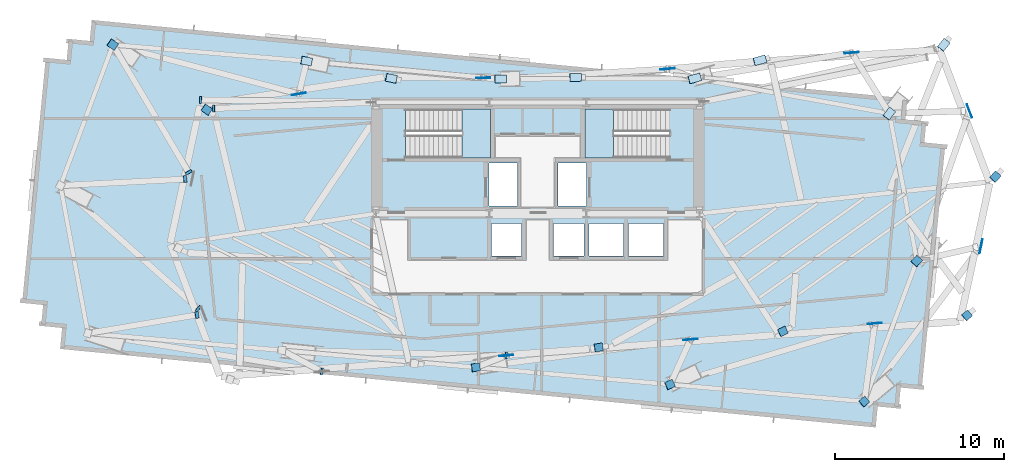
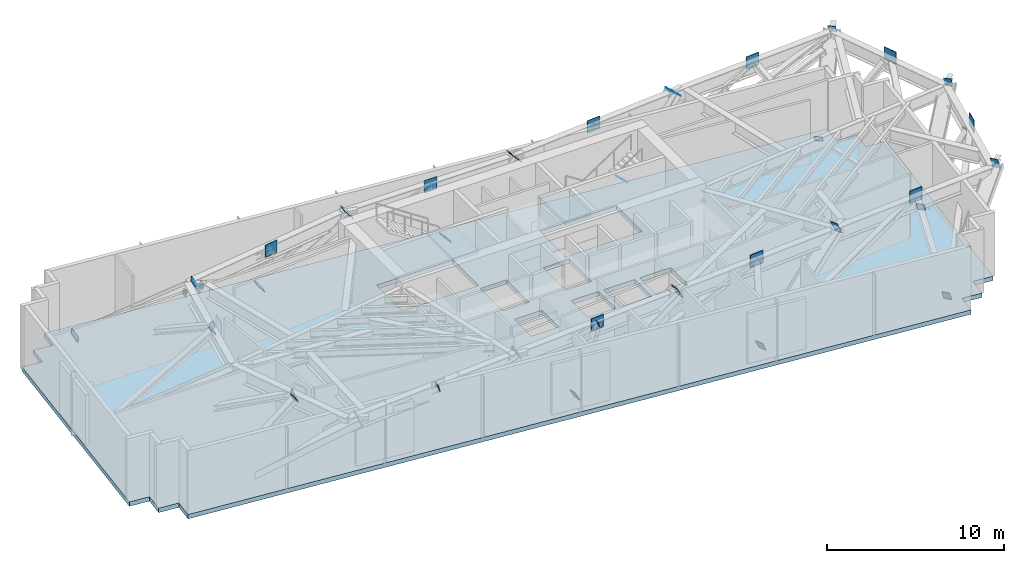
# One storey, part 4 of 10: 35 plates, 3 slabs, 2 elements without a shape of their own.
"""IFC4 building model written with IfcOpenShell, lengths in metres."""

from ifc_helpers import new_model, si_unit, direction, frame, origin, origin_2d, place, context, subcontext, project, spatial, polyline, rectangle, outline, extrude, source, transform, mapped, material, layer, layer_set, type_object, type_shapes, element, aggregate, save


model = new_model("IFC4")

# Units and contexts
model_context = context("Model", 3, precision=1e-05, world=origin(), true_north=direction((0.0, 1.0)))
body_context = subcontext(model_context, "Body", "Model", "MODEL_VIEW")
ifc_project = project(units=[si_unit("LENGTHUNIT", "METRE"), si_unit("AREAUNIT", "SQUARE_METRE"), si_unit("VOLUMEUNIT", "CUBIC_METRE"), si_unit("PLANEANGLEUNIT", "RADIAN"), si_unit("MASSUNIT", "GRAM", prefix="KILO")], contexts=[model_context])

# Site, building, storey
site_placement = place(None, origin())
site = spatial("IfcSite", under=ifc_project, at=site_placement, CompositionType="ELEMENT")
building_placement = place(site_placement, origin())
building = spatial("IfcBuilding", under=site, at=building_placement, Name="Astriad Promenade Condominiums", CompositionType="ELEMENT")
storey_placement = place(building_placement, frame((0.0, 0.0, 163.0)))
storey = spatial("IfcBuildingStorey", under=building, at=storey_placement, Name="L47", CompositionType="ELEMENT", Elevation=163.0)

# Slab
ifc_material_1 = material(Name="Concrete C50/60", Category="concrete")
ifc_layer_1 = layer(ifc_material_1, 0.300048828125)
ifc_layer_set_1 = layer_set([ifc_layer_1], Name="Concrete C50/60")
slab_type_1 = type_object("IfcSlabType", Name="CONCRETE PODIUM AND PLANT FLOOR SLAB 300", PredefinedType="FLOOR", material=ifc_layer_set_1)
slab_1_placement = place(storey_placement, frame((0.0, 0.0, -0.300048828125)))
element("IfcSlab", 1, at=slab_1_placement, inside=storey, type_object=slab_type_1, Name="Structural Floor Slab (L47)", PredefinedType="FLOOR", context=body_context, shape_type="SweptSolid", body=[
    extrude(outline(polyline([(7.672607421875, 9.374267578125), (56.048828125, 4.716064453125), (56.168701171875, 5.960205078125), (57.412841796875, 5.840576171875), (57.53271484375, 7.084716796875), (58.77685546875, 6.96484375), (60.17626953125, 21.497802734375), (58.931884765625, 21.617431640625), (59.052001953125, 22.86181640625), (57.8076171875, 22.981689453125), (57.927490234375, 24.225830078125), (9.55126953125, 28.8837890625), (9.431396484375, 27.6396484375), (8.18701171875, 27.759521484375), (8.0673828125, 26.515380859375), (6.822998046875, 26.635009765625), (5.423583984375, 12.102294921875), (6.66796875, 11.982421875), (6.548095703125, 10.73828125), (7.79248046875, 10.618408203125), (7.672607421875, 9.374267578125)]), holes=[polyline([(28.175048828125, 20.699951171875), (33.175048828125, 20.699951171875), (33.175048828125, 23.60009765625), (28.175048828125, 23.60009765625), (28.175048828125, 20.699951171875)]), polyline([(38.824951171875, 20.699951171875), (43.824951171875, 20.699951171875), (43.824951171875, 23.60009765625), (38.824951171875, 23.60009765625), (38.824951171875, 20.699951171875)]), polyline([(33.10009765625, 17.85009765625), (34.800048828125, 17.85009765625), (34.800048828125, 20.39990234375), (33.10009765625, 20.39990234375), (33.10009765625, 17.85009765625)]), polyline([(37.199951171875, 17.85009765625), (38.89990234375, 17.85009765625), (38.89990234375, 20.39990234375), (37.199951171875, 20.39990234375), (37.199951171875, 17.85009765625)]), polyline([(33.25, 14.89990234375), (35.050048828125, 14.89990234375), (35.050048828125, 16.800048828125), (33.25, 16.800048828125), (33.25, 14.89990234375)]), polyline([(36.949951171875, 14.89990234375), (38.75, 14.89990234375), (38.75, 16.800048828125), (36.949951171875, 16.800048828125), (36.949951171875, 14.89990234375)]), polyline([(39.050048828125, 14.89990234375), (41.10009765625, 14.89990234375), (41.10009765625, 16.800048828125), (39.050048828125, 16.800048828125), (39.050048828125, 14.89990234375)]), polyline([(41.39990234375, 14.89990234375), (43.449951171875, 14.89990234375), (43.449951171875, 16.800048828125), (41.39990234375, 16.800048828125), (41.39990234375, 14.89990234375)])]), origin(), (0.0, 0.0, 1.0), 0.300048828125),
])

# Stair, slab
stair_type = type_object("IfcStairType", Name="STR-CORE-1350", PredefinedType="HALF_TURN_STAIR", material=ifc_material_1)
stair_1_placement = place(storey_placement, origin())
stair_1 = element("IfcStair", 2, at=stair_1_placement, inside=storey, type_object=stair_type, Name="L47 Enclosed Core Exit Stair ST-1", PredefinedType="HALF_TURN_STAIR")
ifc_layer_2 = layer(ifc_material_1, 0.219970703125)
ifc_layer_set_2 = layer_set([ifc_layer_2], Name="Concrete C50/60")
slab_type_2 = type_object("IfcSlabType", Name="SLB-LANDING-220", PredefinedType="LANDING", material=ifc_layer_set_2)
slab_2_placement = place(storey_placement, frame((0.0, 0.0, 2.199951171875)))
slab_2 = element("IfcSlab", 3, at=slab_2_placement, type_object=slab_type_2, Name="ST-1 landing 1", PredefinedType="LANDING", context=body_context, shape_type="SweptSolid", body=[
    extrude(outline(polyline([(31.510009765625, 20.699951171875), (33.199951171875, 20.699951171875), (33.199951171875, 23.60009765625), (31.510009765625, 23.60009765625), (31.510009765625, 20.699951171875)])), origin(), (0.0, 0.0, 1.0), 0.199951171875),
])
aggregate(stair_1, [slab_2])

stair_2_placement = place(storey_placement, origin())
stair_2 = element("IfcStair", 4, at=stair_2_placement, inside=storey, type_object=stair_type, Name="L47 Enclosed Core Exit Stair ST-2", PredefinedType="HALF_TURN_STAIR")
slab_3_placement = place(storey_placement, frame((0.0, 0.0, 2.199951171875)))
slab_3 = element("IfcSlab", 5, at=slab_3_placement, type_object=slab_type_2, Name="ST-2 landing 1", PredefinedType="LANDING", context=body_context, shape_type="SweptSolid", body=[
    extrude(outline(polyline([(40.489990234375, 23.60009765625), (38.800048828125, 23.60009765625), (38.800048828125, 20.699951171875), (40.489990234375, 20.699951171875), (40.489990234375, 23.60009765625)])), origin(), (0.0, 0.0, 1.0), 0.199951171875),
])
aggregate(stair_2, [slab_3])

# Plates
ifc_material_2 = material(Name="Steel ASTM A572 Grade 50", Category="steel")
ifc_layer_3 = layer(ifc_material_2, 0.02490234375)
ifc_layer_set_3 = layer_set([ifc_layer_3], Name="Steel ASTM A572 Grade 50")
plate_type_1 = type_object("IfcPlateType", Name="STEEL HOLLOW SECTION END CAP PLATE 30", PredefinedType="USERDEFINED", material=ifc_layer_set_3)
shared_shape_1 = source(origin(), body_context, "Body", "SweptSolid", [
    extrude(rectangle(XDim=0.467529296875, YDim=1.015625, at=origin_2d()), origin(), (0.0, 0.0, 1.0), 0.02490234375),
])
for number, where, z_axis, x_axis, name in (
    (6, (32.317138671875, 8.275390625, 0.188232421875), (0.868261537473, 0.140887676077, 0.475681159259), (-0.160169200373, 0.987089574077, 0.0), "Hollow Section End Cap Plate COL-PC03-L47-A"),
    (7, (39.603759765625, 9.457763671875, 4.179931640625), (0.868261537473, 0.140887676077, 0.475681159259), (-0.160169200373, 0.987089574077, 0.0), "Hollow Section End Cap Plate COL-PC03-L47-B"),
    (8, (43.836181640625, 7.256591796875, 0.188232421875), (0.796347833881, 0.374825591944, 0.474695589929), (-0.425865561488, 0.904786451898, 0.0), "Hollow Section End Cap Plate COL-PC04-L47-A"),
    (9, (50.532470703125, 10.408447265625, 4.179931640625), (0.796347833881, 0.374825591944, 0.474695589929), (-0.425865561488, 0.904786451898, 0.0), "Hollow Section End Cap Plate COL-PC04-L47-B"),
    (10, (55.360595703125, 6.242431640625, 0.19189453125), (0.685082569002, 0.574566477001, 0.447811609001), (-0.642599850624, 0.766201952476, 0.0), "Hollow Section End Cap Plate COL-PC05-L47-A"),
    (11, (61.457275390625, 11.35546875, 4.177001953125), (0.685082569002, 0.574566477001, 0.447811609001), (-0.642599850624, 0.766201952476, 0.0), "Hollow Section End Cap Plate COL-PC05-L47-B"),
    (12, (10.788330078125, 27.42724609375, 0.183349609375), (0.708093776263, -0.489905870182, 0.508522804189), (0.568964300546, 0.822362222323, 0.0), "Hollow Section End Cap Plate COL-PC06-L47-A"),
    (13, (16.359130859375, 23.572998046875, 4.18408203125), (0.708093776263, -0.489905870182, 0.508522804189), (0.568964300546, 0.822362222323, 0.0), "Hollow Section End Cap Plate COL-PC06-L47-B"),
    (14, (22.284423828125, 26.450439453125, 0.164306640625), (0.769908432869, -0.157040333973, 0.618529981895), (0.199857582963, 0.979824957088, 0.0), "Hollow Section End Cap Plate COL-PC07-L47-A"),
    (15, (27.307861328125, 25.425537109375, 4.199951171875), (0.769908432869, -0.157040333973, 0.618529981895), (0.199857582963, 0.979824957088, 0.0), "Hollow Section End Cap Plate COL-PC07-L47-B"),
    (16, (33.794189453125, 25.3837890625, 0.1533203125), (0.738949223864, 0.015805686997, 0.673575700876), (-0.021384517531, 0.999771325059, 0.0), "Hollow Section End Cap Plate COL-PC08-L47-A"),
    (17, (38.24462890625, 25.47900390625, 4.210205078125), (0.738949223864, 0.015805686997, 0.673575700876), (-0.021384517531, 0.999771325059, 0.0), "Hollow Section End Cap Plate COL-PC08-L47-B"),
    (18, (45.309814453125, 25.41796875, 0.144287109375), (0.676288281941, 0.187474382984, 0.712381579938), (-0.267136548867, 0.9636586866, 0.0), "Hollow Section End Cap Plate COL-PC09-L47-A"),
    (19, (49.17724609375, 26.48974609375, 4.218017578125), (0.676288281941, 0.187474382984, 0.712381579938), (-0.267136548867, 0.9636586866, 0.0), "Hollow Section End Cap Plate COL-PC09-L47-B"),
    (20, (56.852294921875, 23.323974609375, 0.16552734375), (0.49119376904, 0.619089275051, 0.61274558405), (-0.783379424073, 0.621543786019, 0.0), "Hollow Section End Cap Plate COL-PC10-L47-A"),
    (21, (60.08544921875, 27.399169921875, 4.19921875), (0.49119376904, 0.619089275051, 0.61274558405), (-0.783379424073, 0.621543786019, 0.0), "Hollow Section End Cap Plate COL-PC10-L47-B"),
    (22, (58.4765625, 14.578369140625, 0.183837890625), (0.588515959908, 0.631491628901, 0.504843824921), (-0.731561400904, 0.681775561829, 0.0), "Hollow Section End Cap Plate COL-PC12-L47-A"),
    (23, (63.13916015625, 19.581298828125, 4.183349609375), (0.588515959908, 0.631491628901, 0.504843824921), (-0.731561400904, 0.681775561829, 0.0), "Hollow Section End Cap Plate COL-PC12-L47-B"),
):
    element("IfcPlate", number, at=place(storey_placement, frame(where, z_axis=z_axis, x_axis=x_axis)), inside=storey, type_object=plate_type_1, Name=name, ObjectType="STIFFENER_PLATE", PredefinedType="USERDEFINED", context=body_context, shape_type="MappedRepresentation", body=[
        mapped(shared_shape_1, transform((0.0, 0.0, 0.0), scale=1.0)),
    ])
shared_shape_2 = source(origin(), body_context, "Body", "SweptSolid", [
    extrude(rectangle(XDim=0.41259765625, YDim=0.40771484375, at=origin_2d()), origin(), (0.0, 0.0, 1.0), 0.02490234375),
])
for number, where, z_axis, x_axis, name in (
    (24, (16.015380859375, 24.147705078125, 3.427490234375), (-0.955896229764, 0.013605583997, 0.293389307928), (-0.014231885869, -0.999898721584, 0.0), "Hollow Section End Cap Plate BRACE-OUT-L47-01A-B"),
    (25, (16.79296875, 23.63427734375, 3.982421875), (-0.952145211224, -0.036259092009, 0.303487685071), (0.038053889996, -0.999275688414, 0.0), "Hollow Section End Cap Plate BRACE-OUT-L47-01B-B"),
):
    element("IfcPlate", number, at=place(storey_placement, frame(where, z_axis=z_axis, x_axis=x_axis)), inside=storey, type_object=plate_type_1, Name=name, ObjectType="STIFFENER_PLATE", PredefinedType="USERDEFINED", context=body_context, shape_type="MappedRepresentation", body=[
        mapped(shared_shape_2, transform((0.0, 0.0, 0.0), scale=1.0)),
    ])
ifc_layer_4 = layer(ifc_material_2, 0.0400390625)
ifc_layer_set_4 = layer_set([ifc_layer_4], Name="Steel ASTM A572 Grade 50")
plate_type_2 = type_object("IfcPlateType", Name="STEEL TRUSS NODE GUSSET PLATE 40", PredefinedType="USERDEFINED", material=ifc_layer_set_4)
shared_shape_3 = source(origin(), body_context, "Body", "SweptSolid", [
    extrude(rectangle(XDim=0.85009765625, YDim=0.0400390625, at=origin_2d()), origin(), (0.0, 0.0, 1.0), 0.85009765625),
])
type_shapes(plate_type_2, [shared_shape_3])
for number, where, z_axis, x_axis, name in (
    (26, (34.13623046875, 8.982421875, 3.77490234375), (0.0, 0.0, 1.0), (0.996240196174, 0.0866341245, 0.0), "Truss Gusset Plate GP-BELT-L47-02"),
    (27, (45.068115234375, 9.93310546875, 3.77490234375), (0.0, 0.0, 1.0), (0.996240196174, 0.0866341245, 0.0), "Truss Gusset Plate GP-BELT-L47-03"),
    (28, (55.994873046875, 10.8818359375, 3.77490234375), (0.0, 0.0, 1.0), (0.996270376493, 0.086286365798, 0.0), "Truss Gusset Plate GP-BELT-L47-04"),
    (29, (21.83349609375, 24.499267578125, 3.77490234375), (0.0, 0.0, 1.0), (0.985996037071, 0.166768746716, 0.0), "Truss Gusset Plate GP-BELT-L47-05"),
    (30, (32.770751953125, 25.452392578125, 3.77490234375), (0.0, 0.0, 1.0), (0.999988059021, 0.004886902454, 0.0), "Truss Gusset Plate GP-BELT-L47-06"),
    (31, (43.697021484375, 25.982177734375, 3.77490234375), (0.0, 0.0, 1.0), (0.995788942363, 0.091675418016, 0.0), "Truss Gusset Plate GP-BELT-L47-07"),
    (32, (54.622802734375, 26.9423828125, 3.77490234375), (0.0, 0.0, 1.0), (0.996522007617, 0.083329996614, 0.0), "Truss Gusset Plate GP-BELT-L47-08"),
    (33, (62.298095703125, 15.46826171875, 3.77490234375), (0.0, 0.0, 1.0), (0.200393999665, 0.979715389742, 0.0), "Truss Gusset Plate GP-BELT-L47-11"),
    (34, (61.6123046875, 23.490234375, 3.77490234375), (0.0, 0.0, 1.0), (-0.363739013043, 0.931500901981, 0.0), "Truss Gusset Plate GP-BELT-L47-12"),
):
    element("IfcPlate", number, at=place(storey_placement, frame(where, z_axis=z_axis, x_axis=x_axis)), inside=storey, type_object=plate_type_2, Name=name, ObjectType="GUSSET_PLATE", PredefinedType="USERDEFINED", context=body_context, shape_type="MappedRepresentation", body=[
        mapped(shared_shape_3, transform((0.0, 0.0, 0.0), scale=1.0)),
    ])
shared_shape_4 = source(origin(), body_context, "Body", "SweptSolid", [
    extrude(rectangle(XDim=0.40869140625, YDim=0.39599609375, at=origin_2d()), origin(), (0.0, 0.0, 1.0), 0.02490234375),
])
type_shapes(plate_type_1, [shared_shape_1, shared_shape_2, shared_shape_4])
for number, where, z_axis, x_axis, name in (
    (35, (23.176025390625, 8.0380859375, 4.193115234375), (0.948210934905, -0.154805331985, 0.277364979972), (0.161127218556, 0.986933644902, 0.0), "Hollow Section End Cap Plate BRACE-BELT-L47-01A-B"),
    (36, (34.112548828125, 8.983154296875, 4.192626953125), (0.956248938203, -0.022195250005, 0.291711054062), (0.023204494994, 0.999730739455, 0.0), "Hollow Section End Cap Plate BRACE-BELT-L47-02A-B"),
    (37, (15.77685546875, 11.3896484375, 3.948486328125), (0.852377981114, 0.143784812019, 0.502770032067), (-0.166336708465, 0.986069013516, 0.0), "Hollow Section End Cap Plate BRACE-BELT-L47-09A-B"),
    (38, (15.8515625, 11.775146484375, 4.032470703125), (0.702584067867, -0.627678365881, 0.335254375936), (0.666234950029, 0.745741906668, 0.0), "Hollow Section End Cap Plate BRACE-BELT-L47-09B-B"),
    (39, (15.073974609375, 19.444580078125, 3.969970703125), (0.886649691207, 0.045878644011, 0.460160271108), (-0.051674690976, 0.998663970669, 0.0), "Hollow Section End Cap Plate BRACE-BELT-L47-10A-B"),
    (40, (15.28369140625, 19.861083984375, 3.998779296875), (0.466839485073, -0.787536187124, 0.402302932063), (0.860219008261, 0.509924757024, 0.0), "Hollow Section End Cap Plate BRACE-BELT-L47-10B-B"),
):
    element("IfcPlate", number, at=place(storey_placement, frame(where, z_axis=z_axis, x_axis=x_axis)), inside=storey, type_object=plate_type_1, Name=name, ObjectType="STIFFENER_PLATE", PredefinedType="USERDEFINED", context=body_context, shape_type="MappedRepresentation", body=[
        mapped(shared_shape_4, transform((0.0, 0.0, 0.0), scale=1.0)),
    ])

save(model, "model.ifc")
